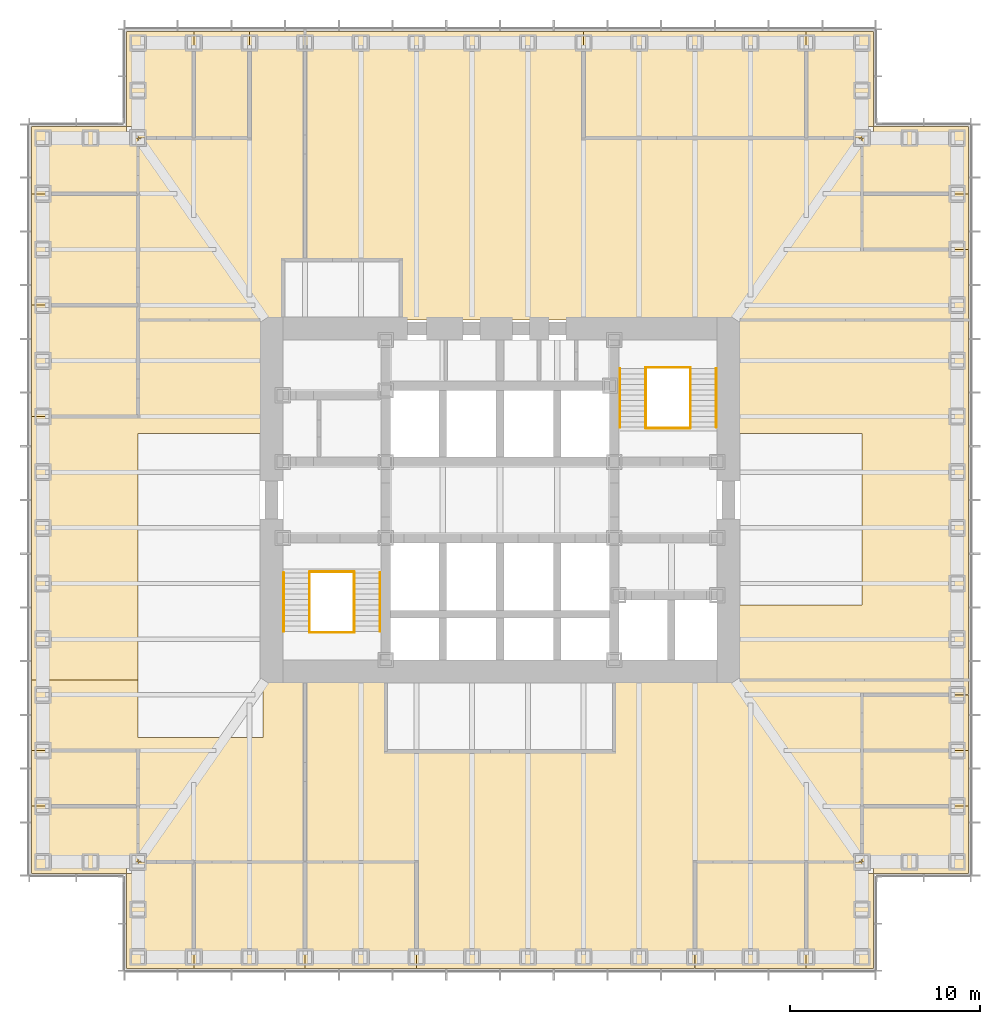
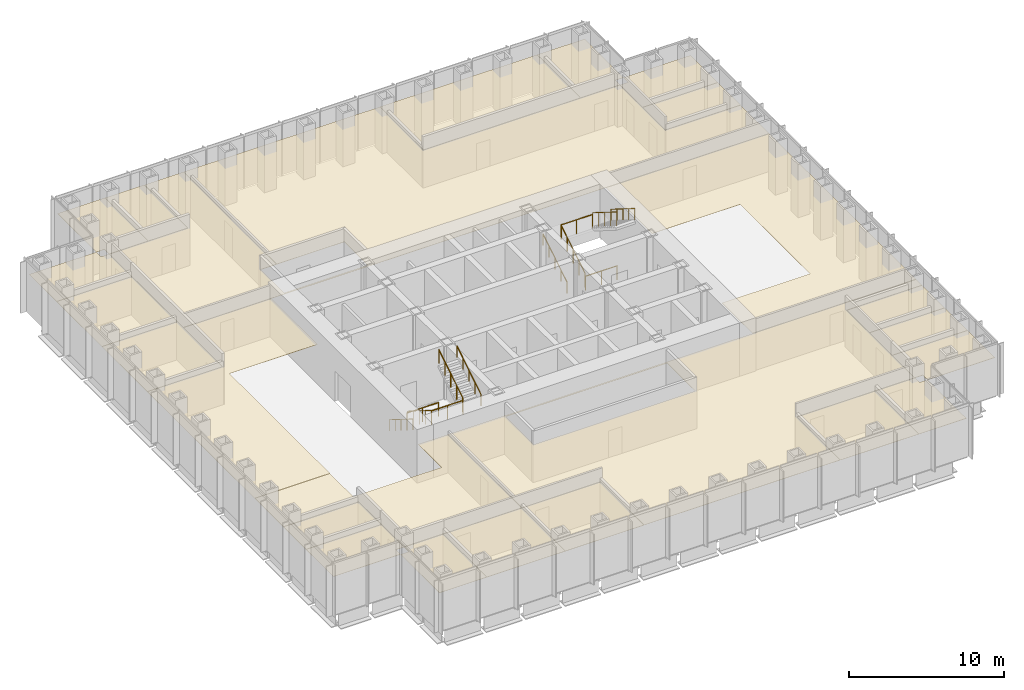
# One storey, part 17 of 17: 25 coverings, 12 railings.
"""IFC4 building model written with IfcOpenShell, lengths in metres."""

from ifc_helpers import new_model, si_unit, direction, frame, origin, origin_2d, place, context, subcontext, project, spatial, polyline, circle, outline, extrude, material, layer, layer_set, type_object, element, save


model = new_model("IFC4")

# Units and contexts
model_context = context("Model", 3, precision=1e-05, world=origin(), true_north=direction((0.0, 1.0)))
body_context = subcontext(model_context, "Body", "Model", "MODEL_VIEW")
ifc_project = project(units=[si_unit("LENGTHUNIT", "METRE"), si_unit("AREAUNIT", "SQUARE_METRE"), si_unit("VOLUMEUNIT", "CUBIC_METRE"), si_unit("PLANEANGLEUNIT", "RADIAN"), si_unit("MASSUNIT", "GRAM", prefix="KILO")], contexts=[model_context])

# Site, building, storey
site_placement = place(None, origin())
site = spatial("IfcSite", under=ifc_project, at=site_placement, CompositionType="ELEMENT")
building_placement = place(site_placement, origin())
building = spatial("IfcBuilding", under=site, at=building_placement, Name="Daluyong Arena Tower", CompositionType="ELEMENT")
storey_placement = place(building_placement, frame((0.0, 0.0, 81.10009765625)))
storey = spatial("IfcBuildingStorey", under=building, at=storey_placement, Name="L17", CompositionType="ELEMENT", Elevation=81.10009765625)

# Coverings
ifc_material_1 = material(Name="Mineral fibre ceiling tile", Category="gypsum board")
ifc_layer = layer(ifc_material_1, 0.02001953125)
ifc_layer_set = layer_set([ifc_layer], Name="Mineral fibre ceiling tile")
covering_type = type_object("IfcCoveringType", Name="Office ceiling", PredefinedType="CEILING", material=ifc_layer_set)
covering_1_placement = place(storey_placement, frame((0.0, 0.0, 2.89990234375)))
element("IfcCovering", 1, at=covering_1_placement, inside=storey, type_object=covering_type, Name="ceiling L17-01", PredefinedType="CEILING", context=body_context, shape_type="SweptSolid", body=[
    extrude(outline(polyline([(36.39990234375, 60.39990234375), (36.39990234375, 55.39990234375), (39.923095703125, 55.39990234375), (39.923095703125, 61.0), (37.0, 61.0), (37.0, 60.39990234375), (36.39990234375, 60.39990234375)])), origin(), (0.0, 0.0, 1.0), 0.02001953125),
])
covering_2_placement = place(storey_placement, frame((0.0, 0.0, 2.89990234375)))
element("IfcCovering", 2, at=covering_2_placement, inside=storey, type_object=covering_type, Name="ceiling L17-02", PredefinedType="CEILING", context=body_context, shape_type="SweptSolid", body=[
    extrude(outline(polyline([(39.923095703125, 61.0), (39.923095703125, 55.39990234375), (45.769287109375, 55.39990234375), (45.769287109375, 61.0), (39.923095703125, 61.0)])), origin(), (0.0, 0.0, 1.0), 0.02001953125),
])
covering_3_placement = place(storey_placement, frame((0.0, 0.0, 2.89990234375)))
element("IfcCovering", 3, at=covering_3_placement, inside=storey, type_object=covering_type, Name="ceiling L17-03", PredefinedType="CEILING", context=body_context, shape_type="SweptSolid", body=[
    extrude(outline(polyline([(45.769287109375, 61.0), (45.769287109375, 55.39990234375), (51.615478515625, 55.39990234375), (51.615478515625, 61.0), (45.769287109375, 61.0)])), origin(), (0.0, 0.0, 1.0), 0.02001953125),
])
covering_4_placement = place(storey_placement, frame((0.0, 0.0, 2.89990234375)))
element("IfcCovering", 4, at=covering_4_placement, inside=storey, type_object=covering_type, Name="ceiling L17-04", PredefinedType="CEILING", context=body_context, shape_type="SweptSolid", body=[
    extrude(outline(polyline([(66.230712890625, 61.0), (66.230712890625, 55.39990234375), (72.076904296875, 55.39990234375), (72.076904296875, 61.0), (66.230712890625, 61.0)])), origin(), (0.0, 0.0, 1.0), 0.02001953125),
])
covering_5_placement = place(storey_placement, frame((0.0, 0.0, 2.89990234375)))
element("IfcCovering", 5, at=covering_5_placement, inside=storey, type_object=covering_type, Name="ceiling L17-05", PredefinedType="CEILING", context=body_context, shape_type="SweptSolid", body=[
    extrude(outline(polyline([(75.60009765625, 55.39990234375), (75.60009765625, 60.39990234375), (75.0, 60.39990234375), (75.0, 61.0), (72.076904296875, 61.0), (72.076904296875, 55.39990234375), (75.60009765625, 55.39990234375)])), origin(), (0.0, 0.0, 1.0), 0.02001953125),
])
covering_6_placement = place(storey_placement, frame((0.0, 0.0, 2.89990234375)))
element("IfcCovering", 6, at=covering_6_placement, inside=storey, type_object=covering_type, Name="ceiling L17-06", PredefinedType="CEILING", context=body_context, shape_type="SweptSolid", body=[
    extrude(outline(polyline([(75.60009765625, 60.39990234375), (80.60009765625, 60.39990234375), (80.60009765625, 63.923095703125), (75.0, 63.923095703125), (75.0, 61.0), (75.60009765625, 61.0), (75.60009765625, 60.39990234375)])), origin(), (0.0, 0.0, 1.0), 0.02001953125),
])
covering_7_placement = place(storey_placement, frame((0.0, 0.0, 2.89990234375)))
element("IfcCovering", 7, at=covering_7_placement, inside=storey, type_object=covering_type, Name="ceiling L17-07", PredefinedType="CEILING", context=body_context, shape_type="SweptSolid", body=[
    extrude(outline(polyline([(75.0, 63.923095703125), (80.60009765625, 63.923095703125), (80.60009765625, 66.84619140625), (75.0, 66.84619140625), (75.0, 63.923095703125)])), origin(), (0.0, 0.0, 1.0), 0.02001953125),
])
covering_8_placement = place(storey_placement, frame((0.0, 0.0, 2.89990234375)))
element("IfcCovering", 8, at=covering_8_placement, inside=storey, type_object=covering_type, Name="ceiling L17-08", PredefinedType="CEILING", context=body_context, shape_type="SweptSolid", body=[
    extrude(outline(polyline([(75.0, 66.84619140625), (80.60009765625, 66.84619140625), (80.60009765625, 69.769287109375), (75.0, 69.769287109375), (75.0, 66.84619140625)])), origin(), (0.0, 0.0, 1.0), 0.02001953125),
])
covering_9_placement = place(storey_placement, frame((0.0, 0.0, 2.89990234375)))
element("IfcCovering", 9, at=covering_9_placement, inside=storey, type_object=covering_type, Name="ceiling L17-09", PredefinedType="CEILING", context=body_context, shape_type="SweptSolid", body=[
    extrude(outline(polyline([(75.0, 93.15380859375), (80.60009765625, 93.15380859375), (80.60009765625, 96.076904296875), (75.0, 96.076904296875), (75.0, 93.15380859375)])), origin(), (0.0, 0.0, 1.0), 0.02001953125),
])
covering_10_placement = place(storey_placement, frame((0.0, 0.0, 2.89990234375)))
element("IfcCovering", 10, at=covering_10_placement, inside=storey, type_object=covering_type, Name="ceiling L17-10", PredefinedType="CEILING", context=body_context, shape_type="SweptSolid", body=[
    extrude(outline(polyline([(75.0, 96.076904296875), (80.60009765625, 96.076904296875), (80.60009765625, 99.60009765625), (75.60009765625, 99.60009765625), (75.60009765625, 99.0), (75.0, 99.0), (75.0, 96.076904296875)])), origin(), (0.0, 0.0, 1.0), 0.02001953125),
])
covering_11_placement = place(storey_placement, frame((0.0, 0.0, 2.89990234375)))
element("IfcCovering", 11, at=covering_11_placement, inside=storey, type_object=covering_type, Name="ceiling L17-11", PredefinedType="CEILING", context=body_context, shape_type="SweptSolid", body=[
    extrude(outline(polyline([(39.923095703125, 99.0), (39.923095703125, 104.60009765625), (36.39990234375, 104.60009765625), (36.39990234375, 99.60009765625), (37.0, 99.60009765625), (37.0, 99.0), (39.923095703125, 99.0)])), origin(), (0.0, 0.0, 1.0), 0.02001953125),
])
covering_12_placement = place(storey_placement, frame((0.0, 0.0, 2.89990234375)))
element("IfcCovering", 12, at=covering_12_placement, inside=storey, type_object=covering_type, Name="ceiling L17-12", PredefinedType="CEILING", context=body_context, shape_type="SweptSolid", body=[
    extrude(outline(polyline([(42.84619140625, 99.0), (42.84619140625, 104.60009765625), (39.923095703125, 104.60009765625), (39.923095703125, 99.0), (42.84619140625, 99.0)])), origin(), (0.0, 0.0, 1.0), 0.02001953125),
])
covering_13_placement = place(storey_placement, frame((0.0, 0.0, 2.89990234375)))
element("IfcCovering", 13, at=covering_13_placement, inside=storey, type_object=covering_type, Name="ceiling L17-13", PredefinedType="CEILING", context=body_context, shape_type="SweptSolid", body=[
    extrude(outline(polyline([(72.076904296875, 99.0), (72.076904296875, 104.60009765625), (60.384521484375, 104.60009765625), (60.384521484375, 99.0), (72.076904296875, 99.0)])), origin(), (0.0, 0.0, 1.0), 0.02001953125),
])
covering_14_placement = place(storey_placement, frame((0.0, 0.0, 2.89990234375)))
element("IfcCovering", 14, at=covering_14_placement, inside=storey, type_object=covering_type, Name="ceiling L17-14", PredefinedType="CEILING", context=body_context, shape_type="SweptSolid", body=[
    extrude(outline(polyline([(72.076904296875, 99.0), (75.0, 99.0), (75.0, 99.60009765625), (75.60009765625, 99.60009765625), (75.60009765625, 104.60009765625), (72.076904296875, 104.60009765625), (72.076904296875, 99.0)])), origin(), (0.0, 0.0, 1.0), 0.02001953125),
])
covering_15_placement = place(storey_placement, frame((0.0, 0.0, 2.89990234375)))
element("IfcCovering", 15, at=covering_15_placement, inside=storey, type_object=covering_type, Name="ceiling L17-15", PredefinedType="CEILING", context=body_context, shape_type="SweptSolid", body=[
    extrude(outline(polyline([(31.39990234375, 60.39990234375), (36.39990234375, 60.39990234375), (36.39990234375, 61.0), (37.0, 61.0), (37.0, 63.923095703125), (31.39990234375, 63.923095703125), (31.39990234375, 60.39990234375)])), origin(), (0.0, 0.0, 1.0), 0.02001953125),
])
covering_16_placement = place(storey_placement, frame((0.0, 0.0, 2.89990234375)))
element("IfcCovering", 16, at=covering_16_placement, inside=storey, type_object=covering_type, Name="ceiling L17-16", PredefinedType="CEILING", context=body_context, shape_type="SweptSolid", body=[
    extrude(outline(polyline([(37.0, 66.84619140625), (31.39990234375, 66.84619140625), (31.39990234375, 63.923095703125), (37.0, 63.923095703125), (37.0, 66.84619140625)])), origin(), (0.0, 0.0, 1.0), 0.02001953125),
])
covering_17_placement = place(storey_placement, frame((0.0, 0.0, 2.89990234375)))
element("IfcCovering", 17, at=covering_17_placement, inside=storey, type_object=covering_type, Name="ceiling L17-17", PredefinedType="CEILING", context=body_context, shape_type="SweptSolid", body=[
    extrude(outline(polyline([(37.0, 90.230712890625), (31.39990234375, 90.230712890625), (31.39990234375, 84.384521484375), (37.0, 84.384521484375), (37.0, 90.230712890625)])), origin(), (0.0, 0.0, 1.0), 0.02001953125),
])
covering_18_placement = place(storey_placement, frame((0.0, 0.0, 2.89990234375)))
element("IfcCovering", 18, at=covering_18_placement, inside=storey, type_object=covering_type, Name="ceiling L17-18", PredefinedType="CEILING", context=body_context, shape_type="SweptSolid", body=[
    extrude(outline(polyline([(37.0, 96.076904296875), (31.39990234375, 96.076904296875), (31.39990234375, 90.230712890625), (37.0, 90.230712890625), (37.0, 96.076904296875)])), origin(), (0.0, 0.0, 1.0), 0.02001953125),
])
covering_19_placement = place(storey_placement, frame((0.0, 0.0, 2.89990234375)))
element("IfcCovering", 19, at=covering_19_placement, inside=storey, type_object=covering_type, Name="ceiling L17-19", PredefinedType="CEILING", context=body_context, shape_type="SweptSolid", body=[
    extrude(outline(polyline([(37.0, 96.076904296875), (37.0, 99.0), (36.39990234375, 99.0), (36.39990234375, 99.60009765625), (31.39990234375, 99.60009765625), (31.39990234375, 96.076904296875), (37.0, 96.076904296875)])), origin(), (0.0, 0.0, 1.0), 0.02001953125),
])
covering_20_placement = place(storey_placement, frame((0.0, 0.0, 2.89990234375)))
element("IfcCovering", 20, at=covering_20_placement, inside=storey, type_object=covering_type, Name="ceiling L17-24", PredefinedType="CEILING", context=body_context, shape_type="SweptSolid", body=[
    extrude(outline(polyline([(80.60009765625, 70.550048828125), (80.60009765625, 89.449951171875), (68.449951171875, 89.449951171875), (68.449951171875, 83.5), (75.0, 83.5), (75.0, 74.5), (68.449951171875, 74.5), (68.449951171875, 70.550048828125), (80.60009765625, 70.550048828125)])), origin(), (0.0, 0.0, 1.0), 0.02001953125),
])
covering_21_placement = place(storey_placement, frame((0.0, 0.0, 2.89990234375)))
element("IfcCovering", 21, at=covering_21_placement, inside=storey, type_object=covering_type, Name="ceiling L17-25", PredefinedType="CEILING", context=body_context, shape_type="SweptSolid", body=[
    extrude(outline(polyline([(31.39990234375, 84.384521484375), (31.39990234375, 70.550048828125), (37.0, 70.550048828125), (37.0, 83.5), (43.550048828125, 83.5), (43.550048828125, 89.449951171875), (37.0, 89.449951171875), (37.0, 84.384521484375), (31.39990234375, 84.384521484375)])), origin(), (0.0, 0.0, 1.0), 0.02001953125),
])
covering_22_placement = place(storey_placement, frame((0.0, 0.0, 2.89990234375)))
element("IfcCovering", 22, at=covering_22_placement, inside=storey, type_object=covering_type, Name="ceiling L17-26", PredefinedType="CEILING", context=body_context, shape_type="SweptSolid", body=[
    extrude(outline(polyline([(37.010009765625, 61.010009765625), (45.75927734375, 61.010009765625), (45.75927734375, 70.5400390625), (43.56005859375, 70.5400390625), (43.56005859375, 67.5400390625), (36.989990234375, 67.5400390625), (36.989990234375, 70.5400390625), (31.409912109375, 70.5400390625), (31.409912109375, 66.856201171875), (37.010009765625, 66.856201171875), (37.010009765625, 61.010009765625)])), origin(), (0.0, 0.0, 1.0), 0.02001953125),
])
covering_23_placement = place(storey_placement, frame((0.0, 0.0, 2.89990234375)))
element("IfcCovering", 23, at=covering_23_placement, inside=storey, type_object=covering_type, Name="ceiling L17-27", PredefinedType="CEILING", context=body_context, shape_type="SweptSolid", body=[
    extrude(outline(polyline([(74.989990234375, 61.010009765625), (74.989990234375, 69.779296875), (80.590087890625, 69.779296875), (80.590087890625, 70.5400390625), (45.779296875, 70.5400390625), (45.779296875, 61.010009765625), (51.62548828125, 61.010009765625), (51.62548828125, 55.409912109375), (66.220703125, 55.409912109375), (66.220703125, 61.010009765625), (74.989990234375, 61.010009765625)]), holes=[polyline([(49.989990234375, 66.7900390625), (49.989990234375, 70.409912109375), (62.010009765625, 70.409912109375), (62.010009765625, 66.7900390625), (49.989990234375, 66.7900390625)])]), origin(), (0.0, 0.0, 1.0), 0.02001953125),
])
covering_24_placement = place(storey_placement, frame((0.0, 0.0, 2.89990234375)))
element("IfcCovering", 24, at=covering_24_placement, inside=storey, type_object=covering_type, Name="ceiling L17-28", PredefinedType="CEILING", context=body_context, shape_type="SweptSolid", body=[
    extrude(outline(polyline([(37.010009765625, 98.989990234375), (37.010009765625, 89.4599609375), (45.75927734375, 89.4599609375), (45.75927734375, 89.590087890625), (44.590087890625, 89.590087890625), (44.590087890625, 92.610107421875), (45.75927734375, 92.610107421875), (45.75927734375, 104.590087890625), (42.856201171875, 104.590087890625), (42.856201171875, 98.989990234375), (37.010009765625, 98.989990234375)])), origin(), (0.0, 0.0, 1.0), 0.02001953125),
])
covering_25_placement = place(storey_placement, frame((0.0, 0.0, 2.89990234375)))
element("IfcCovering", 25, at=covering_25_placement, inside=storey, type_object=covering_type, Name="ceiling L17-29", PredefinedType="CEILING", context=body_context, shape_type="SweptSolid", body=[
    extrude(outline(polyline([(60.37451171875, 98.989990234375), (60.37451171875, 104.590087890625), (45.779296875, 104.590087890625), (45.779296875, 92.610107421875), (50.81005859375, 92.610107421875), (50.81005859375, 89.590087890625), (45.779296875, 89.590087890625), (45.779296875, 89.4599609375), (80.590087890625, 89.4599609375), (80.590087890625, 93.143798828125), (74.989990234375, 93.143798828125), (74.989990234375, 98.989990234375), (60.37451171875, 98.989990234375)])), origin(), (0.0, 0.0, 1.0), 0.02001953125),
])

# Railings
ifc_material_2 = material(Name="Stainless steel handrail", Category="steel")
railing_type_1 = type_object("IfcRailingType", Name="Stair handrail", PredefinedType="HANDRAIL", material=ifc_material_2)
railing_1_placement = place(storey_placement, frame((44.64990234375, 76.175048828125, 0.1748046875)))
element("IfcRailing", 26, at=railing_1_placement, inside=storey, type_object=railing_type_1, Name="exit stair A handrail L17", PredefinedType="HANDRAIL", context=body_context, shape_type="SweptSolid", body=[
    extrude(circle(Radius=0.02392578125, at=origin_2d()), frame((0.0, 0.0, 0.8759765625), z_axis=(0.0, -0.847998304005, 0.529998940003), x_axis=(1.0, 0.0, 0.0)), (0.0, 0.0, 1.0), 3.632080078125),
    extrude(circle(Radius=0.02099609375, at=origin_2d()), origin(), (0.0, 0.0, 1.0), 0.851806640625),
    extrude(circle(Radius=0.02099609375, at=origin_2d()), frame((0.0, -0.77001953125, 0.481201171875)), (0.0, 0.0, 1.0), 0.851806640625),
    extrude(circle(Radius=0.02099609375, at=origin_2d()), frame((0.0, -1.5400390625, 0.96240234375)), (0.0, 0.0, 1.0), 0.851806640625),
    extrude(circle(Radius=0.02099609375, at=origin_2d()), frame((0.0, -2.31005859375, 1.44384765625)), (0.0, 0.0, 1.0), 0.851806640625),
    extrude(circle(Radius=0.02099609375, at=origin_2d()), frame((0.0, -3.080078125, 1.925048828125)), (0.0, 0.0, 1.0), 0.851806640625),
])
for number, where, name in (
    (27, (49.699951171875, 73.094970703125, 2.27490234375), "exit stair A handrail L17"),
    (28, (62.300048828125, 83.824951171875, 0.1748046875), "exit stair B handrail L17"),
):
    element("IfcRailing", number, at=place(storey_placement, frame(where)), inside=storey, type_object=railing_type_1, Name=name, PredefinedType="HANDRAIL", context=body_context, shape_type="SweptSolid", body=[
        extrude(circle(Radius=0.02392578125, at=origin_2d()), frame((0.0, 0.0, 0.8759765625), z_axis=(0.0, 0.847998304005, 0.529998940003), x_axis=(-1.0, 0.0, 0.0)), (0.0, 0.0, 1.0), 3.632080078125),
        extrude(circle(Radius=0.02099609375, at=origin_2d()), origin(), (0.0, 0.0, 1.0), 0.851806640625),
        extrude(circle(Radius=0.02099609375, at=origin_2d()), frame((0.0, 0.77001953125, 0.481201171875)), (0.0, 0.0, 1.0), 0.851806640625),
        extrude(circle(Radius=0.02099609375, at=origin_2d()), frame((0.0, 1.5400390625, 0.96240234375)), (0.0, 0.0, 1.0), 0.851806640625),
        extrude(circle(Radius=0.02099609375, at=origin_2d()), frame((0.0, 2.31005859375, 1.44384765625)), (0.0, 0.0, 1.0), 0.851806640625),
        extrude(circle(Radius=0.02099609375, at=origin_2d()), frame((0.0, 3.080078125, 1.925048828125)), (0.0, 0.0, 1.0), 0.851806640625),
    ])
railing_2_placement = place(storey_placement, frame((67.35009765625, 86.905029296875, 2.27490234375)))
element("IfcRailing", 29, at=railing_2_placement, inside=storey, type_object=railing_type_1, Name="exit stair B handrail L17", PredefinedType="HANDRAIL", context=body_context, shape_type="SweptSolid", body=[
    extrude(circle(Radius=0.02392578125, at=origin_2d()), frame((0.0, 0.0, 0.8759765625), z_axis=(0.0, -0.847998304005, 0.529998940003), x_axis=(1.0, 0.0, 0.0)), (0.0, 0.0, 1.0), 3.632080078125),
    extrude(circle(Radius=0.02099609375, at=origin_2d()), origin(), (0.0, 0.0, 1.0), 0.851806640625),
    extrude(circle(Radius=0.02099609375, at=origin_2d()), frame((0.0, -0.77001953125, 0.481201171875)), (0.0, 0.0, 1.0), 0.851806640625),
    extrude(circle(Radius=0.02099609375, at=origin_2d()), frame((0.0, -1.5400390625, 0.96240234375)), (0.0, 0.0, 1.0), 0.851806640625),
    extrude(circle(Radius=0.02099609375, at=origin_2d()), frame((0.0, -2.31005859375, 1.44384765625)), (0.0, 0.0, 1.0), 0.851806640625),
    extrude(circle(Radius=0.02099609375, at=origin_2d()), frame((0.0, -3.080078125, 1.925048828125)), (0.0, 0.0, 1.0), 0.851806640625),
])
ifc_material_3 = material(Name="Steel balustrade", Category="steel")
railing_type_2 = type_object("IfcRailingType", Name="Stair well guard 1100", PredefinedType="GUARDRAIL", material=ifc_material_3)
railing_3_placement = place(storey_placement, frame((46.0, 76.175048828125, 0.1748046875)))
element("IfcRailing", 30, at=railing_3_placement, inside=storey, type_object=railing_type_2, Name="exit stair A well guard L17", PredefinedType="GUARDRAIL", context=body_context, shape_type="SweptSolid", body=[
    extrude(circle(Radius=0.02392578125, at=origin_2d()), frame((0.0, 0.0, 1.076171875), z_axis=(0.0, -0.847998304005, 0.529998940003), x_axis=(1.0, 0.0, 0.0)), (0.0, 0.0, 1.0), 3.632080078125),
    extrude(circle(Radius=0.02099609375, at=origin_2d()), origin(), (0.0, 0.0, 1.0), 1.052001953125),
    extrude(circle(Radius=0.02099609375, at=origin_2d()), frame((0.0, -0.77001953125, 0.481201171875)), (0.0, 0.0, 1.0), 1.052001953125),
    extrude(circle(Radius=0.02099609375, at=origin_2d()), frame((0.0, -1.5400390625, 0.96240234375)), (0.0, 0.0, 1.0), 1.052001953125),
    extrude(circle(Radius=0.02099609375, at=origin_2d()), frame((0.0, -2.31005859375, 1.44384765625)), (0.0, 0.0, 1.0), 1.052001953125),
    extrude(circle(Radius=0.02099609375, at=origin_2d()), frame((0.0, -3.080078125, 1.925048828125)), (0.0, 0.0, 1.0), 1.052001953125),
])
railing_4_placement = place(storey_placement, frame((48.35009765625, 73.094970703125, 2.27490234375)))
element("IfcRailing", 31, at=railing_4_placement, inside=storey, type_object=railing_type_2, Name="exit stair A well guard L17", PredefinedType="GUARDRAIL", context=body_context, shape_type="SweptSolid", body=[
    extrude(circle(Radius=0.02392578125, at=origin_2d()), frame((0.0, 0.0, 1.076171875), z_axis=(0.0, 0.847998304005, 0.529998940003), x_axis=(-1.0, 0.0, 0.0)), (0.0, 0.0, 1.0), 3.632080078125),
    extrude(circle(Radius=0.02099609375, at=origin_2d()), origin(), (0.0, 0.0, 1.0), 1.052001953125),
    extrude(circle(Radius=0.02099609375, at=origin_2d()), frame((0.0, 0.77001953125, 0.481201171875)), (0.0, 0.0, 1.0), 1.052001953125),
    extrude(circle(Radius=0.02099609375, at=origin_2d()), frame((0.0, 1.5400390625, 0.96240234375)), (0.0, 0.0, 1.0), 1.052001953125),
    extrude(circle(Radius=0.02099609375, at=origin_2d()), frame((0.0, 2.31005859375, 1.44384765625)), (0.0, 0.0, 1.0), 1.052001953125),
    extrude(circle(Radius=0.02099609375, at=origin_2d()), frame((0.0, 3.080078125, 1.925048828125)), (0.0, 0.0, 1.0), 1.052001953125),
])
for number, where, name in (
    (32, (46.0, 73.044921875, 2.099853515625), "exit stair A landing guard L17"),
    (33, (46.0, 76.22509765625, 0.0), "exit stair A floor landing guard L17"),
):
    element("IfcRailing", number, at=place(storey_placement, frame(where)), inside=storey, type_object=railing_type_2, Name=name, PredefinedType="GUARDRAIL", context=body_context, shape_type="SweptSolid", body=[
        extrude(circle(Radius=0.02392578125, at=origin_2d()), frame((0.0, 0.0, 1.076171875), z_axis=(1.0, 0.0, 0.0), x_axis=(0.0, 1.0, 0.0)), (0.0, 0.0, 1.0), 2.35009765625),
        extrude(circle(Radius=0.02099609375, at=origin_2d()), origin(), (0.0, 0.0, 1.0), 1.052001953125),
        extrude(circle(Radius=0.02099609375, at=origin_2d()), frame((1.175048828125, 0.0, 0.0)), (0.0, 0.0, 1.0), 1.052001953125),
        extrude(circle(Radius=0.02099609375, at=origin_2d()), frame((2.35009765625, 0.0, 0.0)), (0.0, 0.0, 1.0), 1.052001953125),
    ])
railing_5_placement = place(storey_placement, frame((63.64990234375, 83.824951171875, 0.1748046875)))
element("IfcRailing", 34, at=railing_5_placement, inside=storey, type_object=railing_type_2, Name="exit stair B well guard L17", PredefinedType="GUARDRAIL", context=body_context, shape_type="SweptSolid", body=[
    extrude(circle(Radius=0.02392578125, at=origin_2d()), frame((0.0, 0.0, 1.076171875), z_axis=(0.0, 0.847998304005, 0.529998940003), x_axis=(-1.0, 0.0, 0.0)), (0.0, 0.0, 1.0), 3.632080078125),
    extrude(circle(Radius=0.02099609375, at=origin_2d()), origin(), (0.0, 0.0, 1.0), 1.052001953125),
    extrude(circle(Radius=0.02099609375, at=origin_2d()), frame((0.0, 0.77001953125, 0.481201171875)), (0.0, 0.0, 1.0), 1.052001953125),
    extrude(circle(Radius=0.02099609375, at=origin_2d()), frame((0.0, 1.5400390625, 0.96240234375)), (0.0, 0.0, 1.0), 1.052001953125),
    extrude(circle(Radius=0.02099609375, at=origin_2d()), frame((0.0, 2.31005859375, 1.44384765625)), (0.0, 0.0, 1.0), 1.052001953125),
    extrude(circle(Radius=0.02099609375, at=origin_2d()), frame((0.0, 3.080078125, 1.925048828125)), (0.0, 0.0, 1.0), 1.052001953125),
])
railing_6_placement = place(storey_placement, frame((66.0, 86.905029296875, 2.27490234375)))
element("IfcRailing", 35, at=railing_6_placement, inside=storey, type_object=railing_type_2, Name="exit stair B well guard L17", PredefinedType="GUARDRAIL", context=body_context, shape_type="SweptSolid", body=[
    extrude(circle(Radius=0.02392578125, at=origin_2d()), frame((0.0, 0.0, 1.076171875), z_axis=(0.0, -0.847998304005, 0.529998940003), x_axis=(1.0, 0.0, 0.0)), (0.0, 0.0, 1.0), 3.632080078125),
    extrude(circle(Radius=0.02099609375, at=origin_2d()), origin(), (0.0, 0.0, 1.0), 1.052001953125),
    extrude(circle(Radius=0.02099609375, at=origin_2d()), frame((0.0, -0.77001953125, 0.481201171875)), (0.0, 0.0, 1.0), 1.052001953125),
    extrude(circle(Radius=0.02099609375, at=origin_2d()), frame((0.0, -1.5400390625, 0.96240234375)), (0.0, 0.0, 1.0), 1.052001953125),
    extrude(circle(Radius=0.02099609375, at=origin_2d()), frame((0.0, -2.31005859375, 1.44384765625)), (0.0, 0.0, 1.0), 1.052001953125),
    extrude(circle(Radius=0.02099609375, at=origin_2d()), frame((0.0, -3.080078125, 1.925048828125)), (0.0, 0.0, 1.0), 1.052001953125),
])
for number, where, name in (
    (36, (63.64990234375, 86.955078125, 2.099853515625), "exit stair B landing guard L17"),
    (37, (63.64990234375, 83.77490234375, 0.0), "exit stair B floor landing guard L17"),
):
    element("IfcRailing", number, at=place(storey_placement, frame(where)), inside=storey, type_object=railing_type_2, Name=name, PredefinedType="GUARDRAIL", context=body_context, shape_type="SweptSolid", body=[
        extrude(circle(Radius=0.02392578125, at=origin_2d()), frame((0.0, 0.0, 1.076171875), z_axis=(1.0, 0.0, 0.0), x_axis=(0.0, 1.0, 0.0)), (0.0, 0.0, 1.0), 2.35009765625),
        extrude(circle(Radius=0.02099609375, at=origin_2d()), origin(), (0.0, 0.0, 1.0), 1.052001953125),
        extrude(circle(Radius=0.02099609375, at=origin_2d()), frame((1.175048828125, 0.0, 0.0)), (0.0, 0.0, 1.0), 1.052001953125),
        extrude(circle(Radius=0.02099609375, at=origin_2d()), frame((2.35009765625, 0.0, 0.0)), (0.0, 0.0, 1.0), 1.052001953125),
    ])

save(model, "model.ifc")
